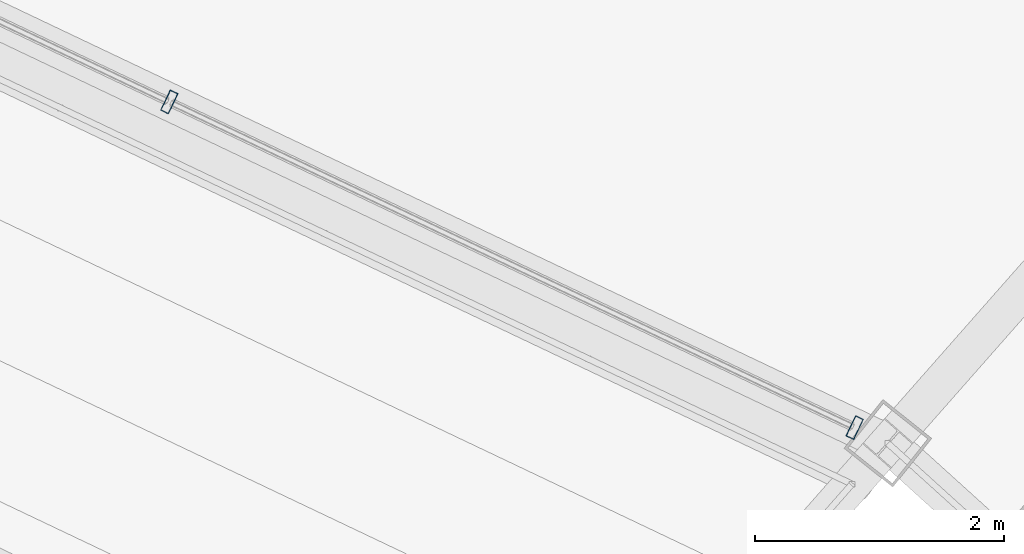
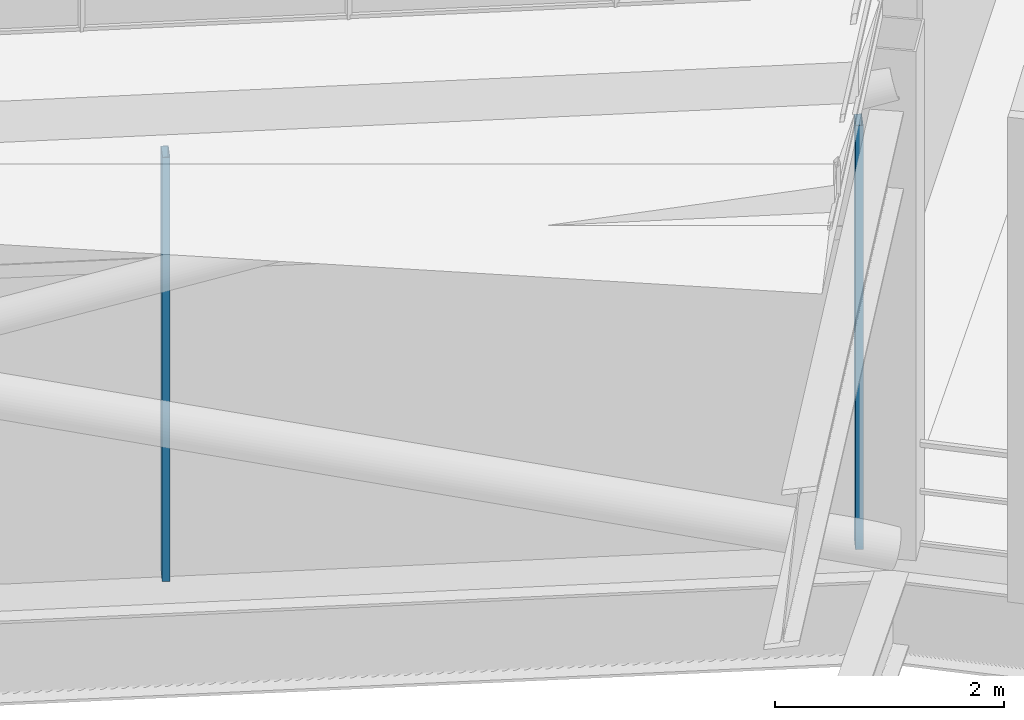
# One storey, part 110 of 186: 2 members, 1 element without a shape of its own.
"""IFC4 building model written with IfcOpenShell, lengths in metres."""

from ifc_helpers import new_model, si_unit, direction, frame, origin, origin_2d, place, context, subcontext, project, spatial, hollow_rectangle, extrude, material, layer, layer_set, material_profile, profile_set, type_object, element, aggregate, save


model = new_model("IFC4")

# Units and contexts
model_context = context("Model", 3, precision=1e-05, world=origin(), true_north=direction((0.0, 1.0)))
body_context = subcontext(model_context, "Body", "Model", "MODEL_VIEW")
ifc_project = project(units=[si_unit("LENGTHUNIT", "METRE"), si_unit("AREAUNIT", "SQUARE_METRE"), si_unit("VOLUMEUNIT", "CUBIC_METRE"), si_unit("PLANEANGLEUNIT", "RADIAN"), si_unit("MASSUNIT", "GRAM", prefix="KILO")], contexts=[model_context])

# Site, building, storey
site_placement = place(None, origin())
site = spatial("IfcSite", under=ifc_project, at=site_placement, CompositionType="ELEMENT")
building_placement = place(site_placement, origin())
building = spatial("IfcBuilding", under=site, at=building_placement, Name="Kazemori Nagisa Stadium", CompositionType="ELEMENT")
storey_placement = place(building_placement, frame((0.0, 0.0, 20.39990234375)))
storey = spatial("IfcBuildingStorey", under=building, at=storey_placement, Name="L04", CompositionType="ELEMENT", Elevation=20.39990234375)

# Curtain wall, members
ifc_material_1 = material(Name="Anodised aluminium 6063-T5", Category="aluminium")
ifc_layer = layer(ifc_material_1, 0.179931640625, Name="Anodised aluminium 6063-T5", Category="aluminium")
ifc_layer_set = layer_set([ifc_layer], Name="Anodised aluminium 6063-T5")
curtain_wall_type = type_object("IfcCurtainWallType", Name="CW_L04B_92", PredefinedType="USERDEFINED", material=ifc_layer_set)
curtain_wall_placement = place(storey_placement, origin())
curtain_wall = element("IfcCurtainWall", 1, at=curtain_wall_placement, inside=storey, type_object=curtain_wall_type, Name="Unitised curtain wall CW-L04B-92 L04", ObjectType="UNITISED CURTAIN WALL", PredefinedType="USERDEFINED")
ifc_material_2 = material(Name="Aluminium 6063-T5 anodised", Category="aluminium")
ifc_material_profile = material_profile(ifc_material_2, hollow_rectangle(XDim=0.070068359375, YDim=0.179931640625, WallThickness=0.00390625, at=origin_2d()), Name="ALU-MULL-70x180x4")
ifc_profile_set = profile_set([ifc_material_profile], Name="Aluminium 6063-T5 anodised")
member_type = type_object("IfcMemberType", Name="Mullion_M01", PredefinedType="MULLION", material=ifc_profile_set)
member_1_placement = place(storey_placement, frame((176.56787109375, 163.2373046875, 0.0), z_axis=(0.0, 0.0, 1.0), x_axis=(-0.903215892654, 0.429186499388, 0.0)))
member_1 = element("IfcMember", 2, at=member_1_placement, type_object=member_type, Name="Curtain wall mullion CW-L04B-92-M1", PredefinedType="MULLION", context=body_context, shape_type="SweptSolid", body=[
    extrude(hollow_rectangle(XDim=0.070068359375, YDim=0.179931640625, WallThickness=0.00390625, at=origin_2d()), origin(), (0.0, 0.0, 1.0), 4.530029296875),
])
member_2_placement = place(storey_placement, frame((171.0712890625, 165.84912109375, 0.0), z_axis=(0.0, 0.0, 1.0), x_axis=(-0.903215892654, 0.429186499388, 0.0)))
member_2 = element("IfcMember", 3, at=member_2_placement, type_object=member_type, Name="Curtain wall mullion CW-L04B-92-M2", PredefinedType="MULLION", context=body_context, shape_type="SweptSolid", body=[
    extrude(hollow_rectangle(XDim=0.070068359375, YDim=0.179931640625, WallThickness=0.00390625, at=origin_2d()), origin(), (0.0, 0.0, 1.0), 4.530029296875),
])
aggregate(curtain_wall, [member_1, member_2])

save(model, "model.ifc")
